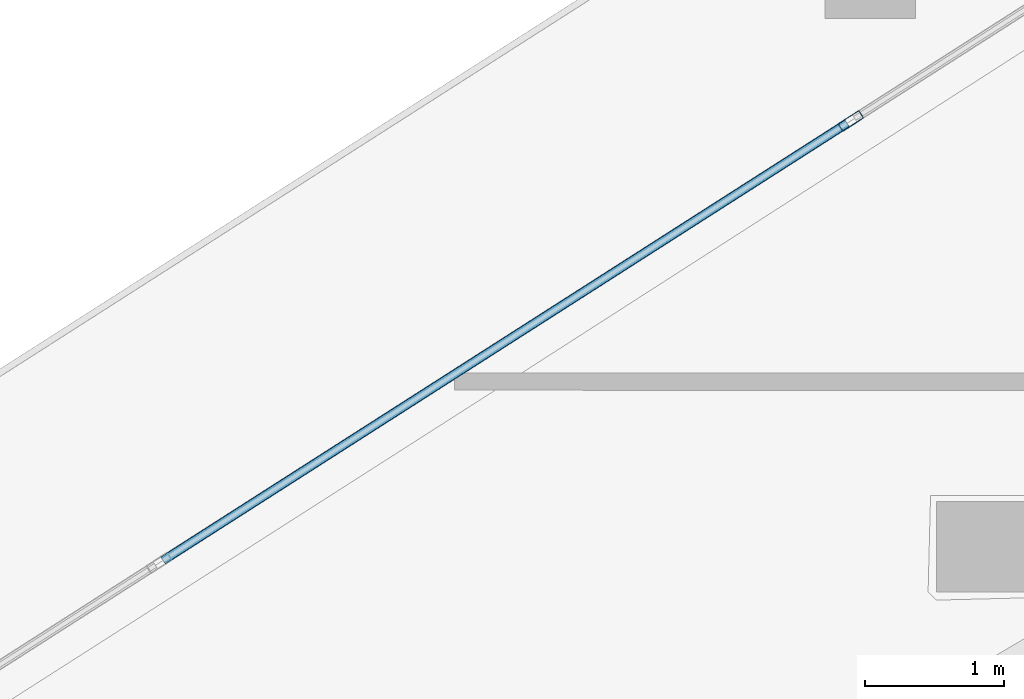
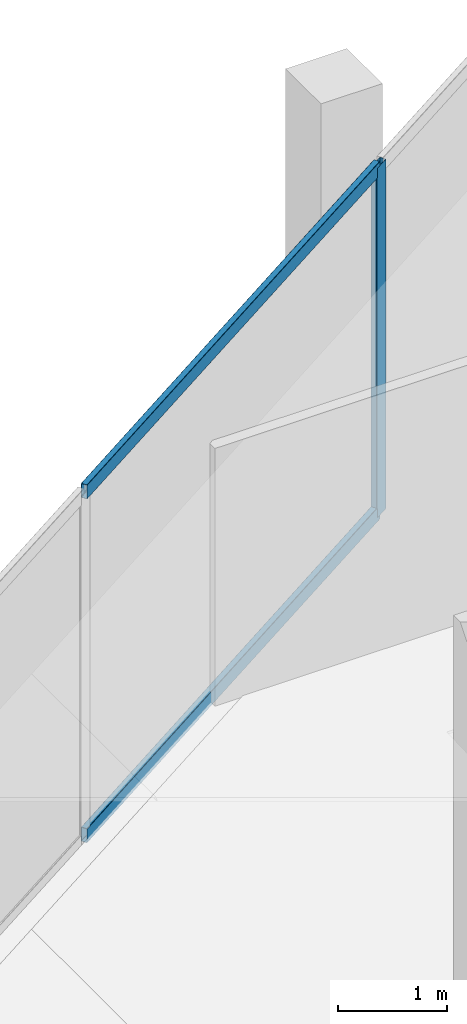
# One storey, part 13 of 44: 3 members, 1 element without a shape of its own.
"""IFC4 building model written with IfcOpenShell, lengths in metres."""

from ifc_helpers import new_model, si_unit, direction, frame, origin, origin_2d, place, context, subcontext, project, spatial, hollow_rectangle, extrude, material, layer, layer_set, material_profile, profile_set, type_object, element, aggregate, save


model = new_model("IFC4")

# Units and contexts
model_context = context("Model", 3, precision=1e-05, world=origin(), true_north=direction((0.0, 1.0)))
body_context = subcontext(model_context, "Body", "Model", "MODEL_VIEW")
ifc_project = project(units=[si_unit("LENGTHUNIT", "METRE"), si_unit("AREAUNIT", "SQUARE_METRE"), si_unit("VOLUMEUNIT", "CUBIC_METRE"), si_unit("PLANEANGLEUNIT", "RADIAN"), si_unit("MASSUNIT", "GRAM", prefix="KILO")], contexts=[model_context])

# Site, building, storey
site_placement = place(None, origin())
site = spatial("IfcSite", under=ifc_project, at=site_placement, CompositionType="ELEMENT")
building_placement = place(site_placement, origin())
building = spatial("IfcBuilding", under=site, at=building_placement, Name="Qorvath Tower", CompositionType="ELEMENT")
storey_placement = place(building_placement, frame((0.0, 0.0, 53.39990234375)))
storey = spatial("IfcBuildingStorey", under=building, at=storey_placement, Name="L11", CompositionType="ELEMENT", Elevation=53.39990234375)

# Curtain wall, members
ifc_material_1 = material(Name="Anodised aluminium and triple low-E glass", Category="aluminium")
ifc_layer = layer(ifc_material_1, 0.179931640625)
ifc_layer_set = layer_set([ifc_layer], Name="CW-SYS-2")
curtain_wall_type = type_object("IfcCurtainWallType", Name="CW-SYS-2", PredefinedType="NOTDEFINED", material=ifc_layer_set)
curtain_wall_placement = place(storey_placement, origin())
curtain_wall = element("IfcCurtainWall", 1, at=curtain_wall_placement, inside=storey, type_object=curtain_wall_type, Name="Curtain Wall CW-2 CW-T-L11-16.3", PredefinedType="NOTDEFINED")
ifc_material_2 = material(Name="Anodised aluminium 6063-T6", Category="aluminium")
ifc_material_profile_1 = material_profile(ifc_material_2, hollow_rectangle(XDim=0.06494140625, YDim=0.179931640625, WallThickness=0.00341796875, InnerFilletRadius=0.00341796875, OuterFilletRadius=0.007080078125, at=origin_2d()), Name="CWM 180x65")
ifc_profile_set_1 = profile_set([ifc_material_profile_1], Name="Anodised aluminium 6063-T6")
member_type_1 = type_object("IfcMemberType", Name="CWM-180", PredefinedType="MULLION", material=ifc_profile_set_1)
member_1_placement = place(storey_placement, frame((-45.677001953125, 13.71435546875, 0.0), z_axis=(0.0, 0.0, 1.0), x_axis=(0.538531853978, -0.842605152044, 0.0)))
member_1 = element("IfcMember", 2, at=member_1_placement, type_object=member_type_1, Name="CW-2 mullion 2", PredefinedType="MULLION", context=body_context, shape_type="SweptSolid", body=[
    extrude(hollow_rectangle(XDim=0.06494140625, YDim=0.179931640625, WallThickness=0.00341796875, InnerFilletRadius=0.00341796875, OuterFilletRadius=0.007080078125, at=origin_2d()), origin(), (0.0, 0.0, 1.0), 3.920166015625),
])
ifc_material_3 = material(Name="Anodised aluminium 6063-T6", Category="aluminium")
ifc_material_profile_2 = material_profile(ifc_material_3, hollow_rectangle(XDim=0.06494140625, YDim=0.159912109375, WallThickness=0.00341796875, InnerFilletRadius=0.00341796875, OuterFilletRadius=0.007080078125, at=origin_2d()), Name="CWT 160x65")
ifc_profile_set_2 = profile_set([ifc_material_profile_2], Name="Anodised aluminium 6063-T6")
member_type_2 = type_object("IfcMemberType", Name="CWT-160", PredefinedType="USERDEFINED", material=ifc_profile_set_2)
member_2_placement = place(storey_placement, frame((-45.704345703125, 13.69677734375, 0.032470703125), z_axis=(-0.842618260885, -0.538511342891, 0.0), x_axis=(0.538511342891, -0.842618260885, 0.0)))
member_2 = element("IfcMember", 3, at=member_2_placement, type_object=member_type_2, Name="CW-2 transom 2.1", ObjectType="TRANSOM", PredefinedType="USERDEFINED", context=body_context, shape_type="SweptSolid", body=[
    extrude(hollow_rectangle(XDim=0.06494140625, YDim=0.159912109375, WallThickness=0.00341796875, InnerFilletRadius=0.00341796875, OuterFilletRadius=0.007080078125, at=origin_2d()), origin(), (0.0, 0.0, 1.0), 5.8388671875),
])
member_3_placement = place(storey_placement, frame((-45.704345703125, 13.69677734375, 3.8876953125), z_axis=(-0.842618260885, -0.538511342891, 0.0), x_axis=(0.538511342891, -0.842618260885, 0.0)))
member_3 = element("IfcMember", 4, at=member_3_placement, type_object=member_type_2, Name="CW-2 transom 2.2", ObjectType="TRANSOM", PredefinedType="USERDEFINED", context=body_context, shape_type="SweptSolid", body=[
    extrude(hollow_rectangle(XDim=0.06494140625, YDim=0.159912109375, WallThickness=0.00341796875, InnerFilletRadius=0.00341796875, OuterFilletRadius=0.007080078125, at=origin_2d()), origin(), (0.0, 0.0, 1.0), 5.8388671875),
])
aggregate(curtain_wall, [member_1, member_2, member_3])

save(model, "model.ifc")
